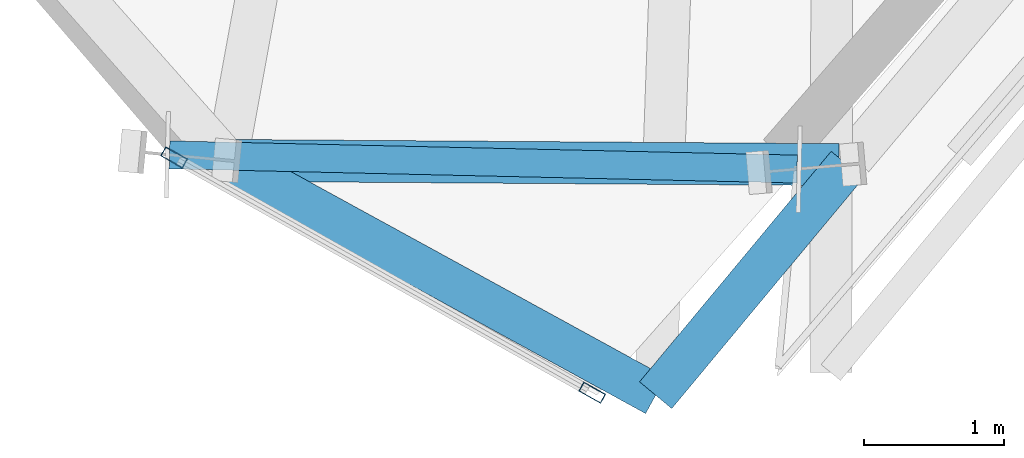
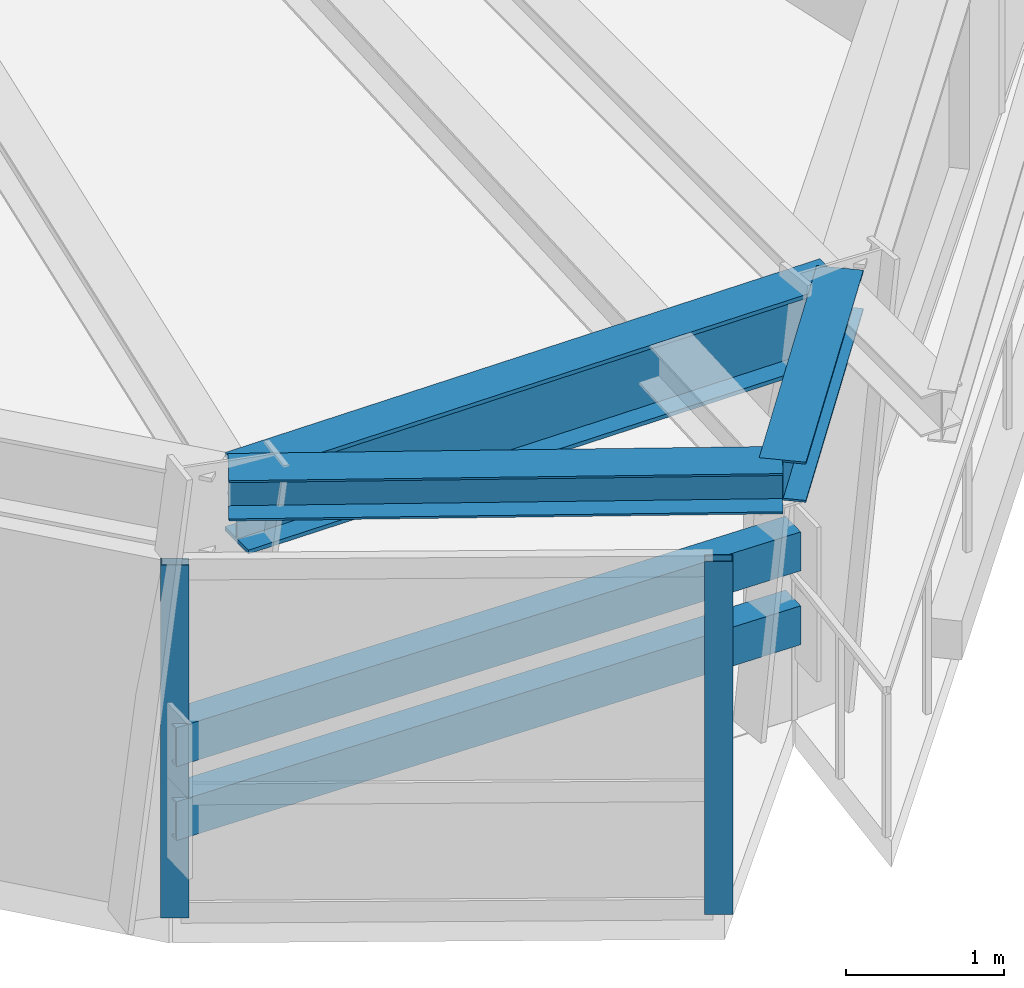
# One storey, part 2 of 13: 4 members, 3 beams, 1 element without a shape of its own.
"""IFC4 building model written with IfcOpenShell, lengths in metres."""

from ifc_helpers import new_model, si_unit, direction, frame, origin, origin_2d, place, context, subcontext, project, spatial, hollow_rectangle, i_section, extrude, source, transform, mapped, material, material_profile, profile_set, type_object, element, aggregate, save


model = new_model("IFC4")

# Units and contexts
model_context = context("Model", 3, precision=1e-05, world=origin(), true_north=direction((0.0, 1.0)))
body_context = subcontext(model_context, "Body", "Model", "MODEL_VIEW")
ifc_project = project(units=[si_unit("LENGTHUNIT", "METRE"), si_unit("AREAUNIT", "SQUARE_METRE"), si_unit("VOLUMEUNIT", "CUBIC_METRE"), si_unit("PLANEANGLEUNIT", "RADIAN"), si_unit("MASSUNIT", "GRAM", prefix="KILO")], contexts=[model_context])

# Site, building, storey
site_placement = place(None, origin())
site = spatial("IfcSite", under=ifc_project, at=site_placement, CompositionType="ELEMENT")
building_placement = place(site_placement, origin())
building = spatial("IfcBuilding", under=site, at=building_placement, Name="Olszyna Solenne Hotel", CompositionType="ELEMENT")
storey_placement = place(building_placement, frame((0.0, 0.0, 167.89990234375)))
storey = spatial("IfcBuildingStorey", under=building, at=storey_placement, Name="L44", CompositionType="ELEMENT", Elevation=167.89990234375)

# Beams
ifc_material_1 = material(Name="Steel S355J2", Category="steel")
ifc_material_profile_1 = material_profile(ifc_material_1, i_section(OverallWidth=0.300048828125, OverallDepth=0.60009765625, WebThickness=0.015380859375, FlangeThickness=0.030029296875, at=origin_2d()), Name="HEB 600", Category="load-bearing")
ifc_profile_set_1 = profile_set([ifc_material_profile_1], Name="Steel S355J2")
beam_type_1 = type_object("IfcBeamType", Name="BM-S2", PredefinedType="BEAM", material=ifc_profile_set_1)
shared_shape_1 = source(origin(), body_context, "Body", "SweptSolid", [
    extrude(i_section(OverallWidth=0.300048828125, OverallDepth=0.60009765625, WebThickness=0.015380859375, FlangeThickness=0.030029296875, at=origin_2d()), origin(), (0.0, 0.0, 1.0), 4.32421875),
])
beam_1_placement = place(storey_placement, frame((33.66796875, 2.4814453125, 3.030029296875), z_axis=(0.999975888218, -0.006944277002, 0.0), x_axis=(0.006944277002, 0.999975888218, 0.0)))
element("IfcBeam", 1, at=beam_1_placement, inside=storey, type_object=beam_type_1, Name="Perimeter spandrel beam BM-S2 B-L44-1312", PredefinedType="BEAM", context=body_context, shape_type="MappedRepresentation", body=[
    mapped(shared_shape_1, transform((0.0, 0.0, 0.0), x_axis=(1.0, 0.0, 0.0), y_axis=(0.0, 1.0, 0.0), z_axis=(0.0, 0.0, 1.0), scale=1.0)),
])
ifc_material_profile_2 = material_profile(ifc_material_1, i_section(OverallWidth=0.300048828125, OverallDepth=0.31005859375, WebThickness=0.009033203125, FlangeThickness=0.015380859375, at=origin_2d()), Name="HEA 320", Category="load-bearing")
ifc_profile_set_2 = profile_set([ifc_material_profile_2], Name="Steel S355J2")
beam_type_2 = type_object("IfcBeamType", Name="BM-G3", PredefinedType="BEAM", material=ifc_profile_set_2)
shared_shape_2 = source(origin(), body_context, "Body", "SweptSolid", [
    extrude(i_section(OverallWidth=0.300048828125, OverallDepth=0.31005859375, WebThickness=0.009033203125, FlangeThickness=0.015380859375, at=origin_2d()), origin(), (0.0, 0.0, 1.0), 3.502197265625),
])
beam_2_placement = place(storey_placement, frame((33.60791015625, 2.48193359375, 3.175048828125), z_axis=(0.877129830126, -0.480253330133, 0.0), x_axis=(0.480253330133, 0.877129830126, 0.0)))
element("IfcBeam", 2, at=beam_2_placement, inside=storey, type_object=beam_type_2, Name="Prism side edge beam BM-G3 B-L44-1325", PredefinedType="BEAM", context=body_context, shape_type="MappedRepresentation", body=[
    mapped(shared_shape_2, transform((0.0, 0.0, 0.0), x_axis=(1.0, 0.0, 0.0), y_axis=(0.0, 1.0, 0.0), z_axis=(0.0, 0.0, 1.0), scale=1.0)),
])
shared_shape_3 = source(origin(), body_context, "Body", "SweptSolid", [
    extrude(i_section(OverallWidth=0.300048828125, OverallDepth=0.31005859375, WebThickness=0.009033203125, FlangeThickness=0.015380859375, at=origin_2d()), origin(), (0.0, 0.0, 1.0), 2.14697265625),
])
beam_3_placement = place(storey_placement, frame((38.05224609375, 2.450927734375, 3.175048828125), z_axis=(-0.639311542503, -0.768947821132, 0.0), x_axis=(0.768947821132, -0.639311542503, 0.0)))
element("IfcBeam", 3, at=beam_3_placement, inside=storey, type_object=beam_type_2, Name="Prism side edge beam BM-G3 B-L44-1326", PredefinedType="BEAM", context=body_context, shape_type="MappedRepresentation", body=[
    mapped(shared_shape_3, transform((0.0, 0.0, 0.0), x_axis=(1.0, 0.0, 0.0), y_axis=(0.0, 1.0, 0.0), z_axis=(0.0, 0.0, 1.0), scale=1.0)),
])

# Members
ifc_material_profile_3 = material_profile(ifc_material_1, hollow_rectangle(XDim=0.199951171875, YDim=0.300048828125, WallThickness=0.01611328125, at=origin_2d()), Name="RHS 300x200x16", Category="load-bearing")
ifc_profile_set_3 = profile_set([ifc_material_profile_3], Name="Steel S355J2")
member_type_1 = type_object("IfcMemberType", Name="CH-PR1", PredefinedType="CHORD", material=ifc_profile_set_3)
shared_shape_4 = source(origin(), body_context, "Body", "SweptSolid", [
    extrude(hollow_rectangle(XDim=0.199951171875, YDim=0.300048828125, WallThickness=0.01611328125, at=origin_2d()), origin(), (0.0, 0.0, 1.0), 4.49560546875),
])
for number, where, z_axis, x_axis, name in (
    (4, (33.197998046875, 2.521484375, 1.35009765625), (0.99974231195, -0.022700433831, 0.0), (0.022700433831, 0.99974231195, 0.0), "Glass-prism tie chord CH-PR1 M-L44-PR1"),
    (5, (33.197998046875, 2.521484375, 0.780029296875), (0.99974231195, -0.022700433831, 0.0), (0.022700433831, 0.99974231195, 0.0), "Glass-prism tie chord CH-PR1 M-L44-PR2"),
):
    element("IfcMember", number, at=place(storey_placement, frame(where, z_axis=z_axis, x_axis=x_axis)), inside=storey, type_object=member_type_1, Name=name, PredefinedType="CHORD", context=body_context, shape_type="MappedRepresentation", body=[
        mapped(shared_shape_4, transform((0.0, 0.0, 0.0), x_axis=(1.0, 0.0, 0.0), y_axis=(0.0, 1.0, 0.0), z_axis=(0.0, 0.0, 1.0), scale=1.0)),
    ])

# Curtain wall, members
ifc_material_2 = material(Name="Anodised bronze aluminium", Category="aluminium")
curtain_wall_type = type_object("IfcCurtainWallType", Name="CW-SYS-5", PredefinedType="NOTDEFINED", material=ifc_material_2)
curtain_wall_placement = place(storey_placement, origin())
curtain_wall = element("IfcCurtainWall", 6, at=curtain_wall_placement, inside=storey, type_object=curtain_wall_type, Name="Unitised curtain wall CW-SYS-5 CW-L44-02", PredefinedType="NOTDEFINED")
ifc_material_profile_4 = material_profile(ifc_material_2, hollow_rectangle(XDim=0.074951171875, YDim=0.179931640625, WallThickness=0.00439453125, at=origin_2d()), Name="MULL 180x75x4.5", Category="load-bearing")
ifc_profile_set_4 = profile_set([ifc_material_profile_4], Name="Anodised bronze aluminium")
member_type_2 = type_object("IfcMemberType", Name="CW-M2", PredefinedType="MULLION", material=ifc_profile_set_4)
shared_shape_5 = source(origin(), body_context, "Body", "SweptSolid", [
    extrude(hollow_rectangle(XDim=0.074951171875, YDim=0.179931640625, WallThickness=0.00439453125, at=origin_2d()), origin(), (0.0, 0.0, 1.0), 2.72216796875),
])
member_1_placement = place(storey_placement, frame((33.230712890625, 2.5029296875, 0.0), z_axis=(0.0, 0.0, 1.0), x_axis=(0.490330209189, 0.871536738157, 0.0)))
member_1 = element("IfcMember", 7, at=member_1_placement, type_object=member_type_2, Name="Curtain-wall mullion CW-M2 CM-L44-02-01", PredefinedType="MULLION", context=body_context, shape_type="MappedRepresentation", body=[
    mapped(shared_shape_5, transform((0.0, 0.0, 0.0), x_axis=(1.0, 0.0, 0.0), y_axis=(0.0, 1.0, 0.0), z_axis=(0.0, 0.0, 1.0), scale=1.0)),
])
member_2_placement = place(storey_placement, frame((36.22509765625, 0.818359375, 0.0), z_axis=(0.0, 0.0, 1.0), x_axis=(0.490330209189, 0.871536738157, 0.0)))
member_2 = element("IfcMember", 8, at=member_2_placement, type_object=member_type_2, Name="Curtain-wall mullion CW-M2 CM-L44-02-02", PredefinedType="MULLION", context=body_context, shape_type="MappedRepresentation", body=[
    mapped(shared_shape_5, transform((0.0, 0.0, 0.0), x_axis=(1.0, 0.0, 0.0), y_axis=(0.0, 1.0, 0.0), z_axis=(0.0, 0.0, 1.0), scale=1.0)),
])
aggregate(curtain_wall, [member_1, member_2])

save(model, "model.ifc")
